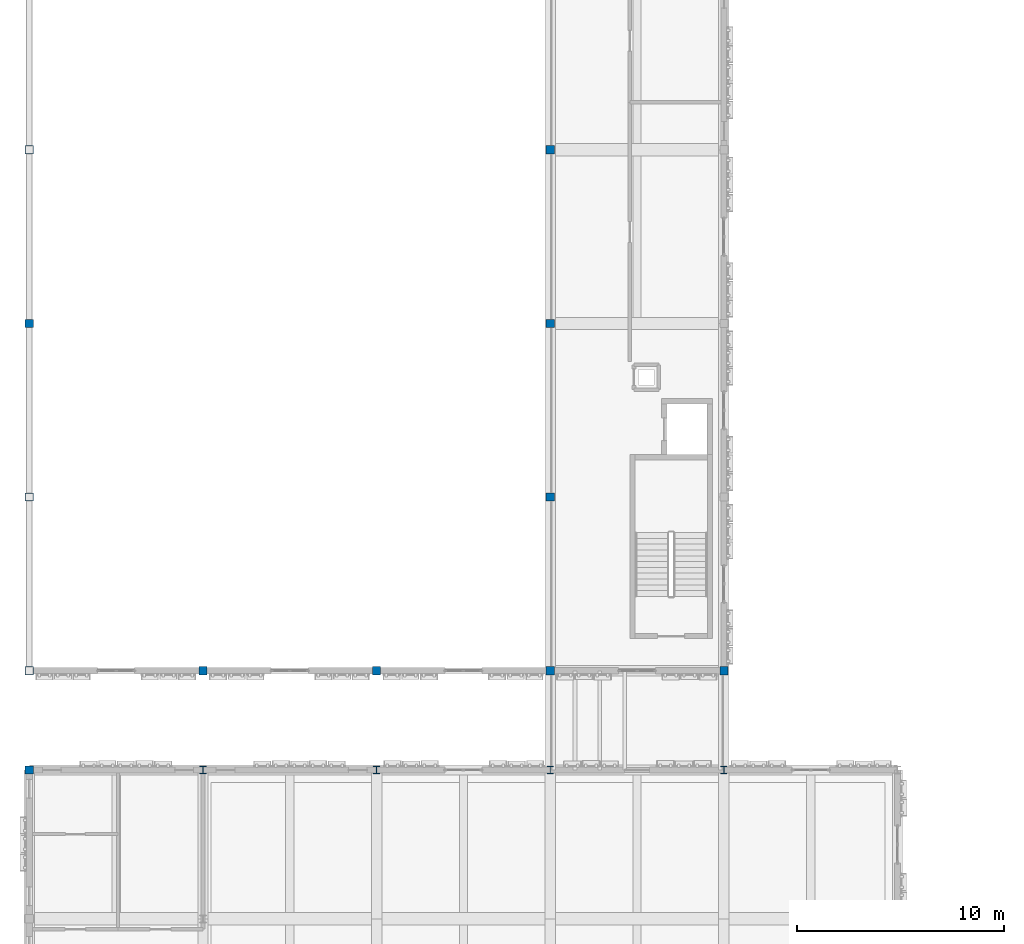
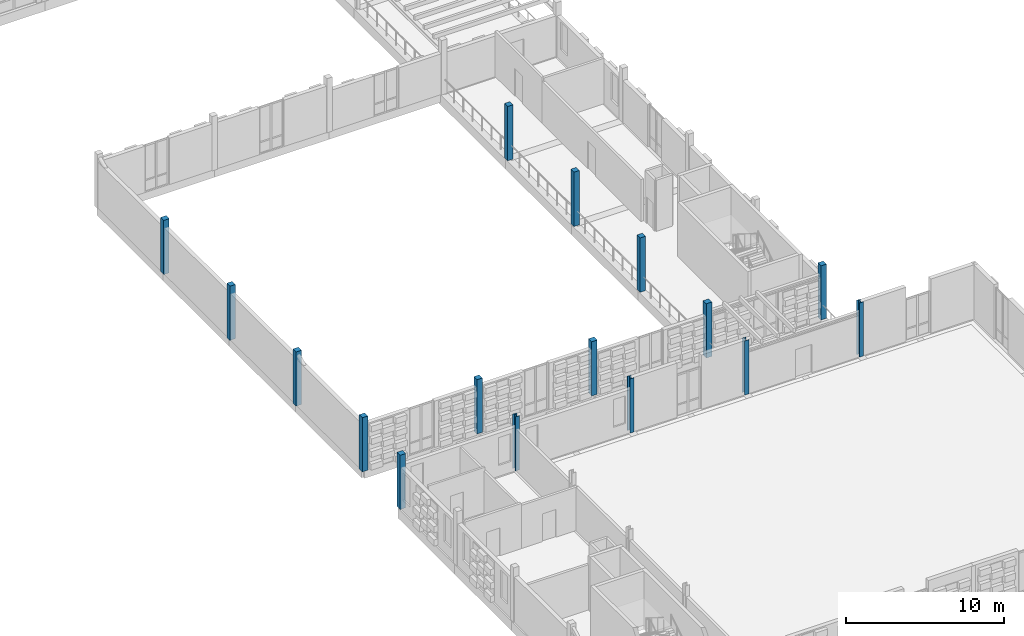
# One storey, part 3 of 99: 16 columns.
"""IFC4 building model written with IfcOpenShell, lengths in metres."""

from ifc_helpers import new_model, si_unit, direction, frame, origin, origin_2d, place, context, subcontext, project, spatial, rectangle, i_section, extrude, material, material_profile, profile_set, type_object, element, save


model = new_model("IFC4")

# Units and contexts
model_context = context("Model", 3, precision=1e-05, world=origin(), true_north=direction((0.0, 1.0)))
body_context = subcontext(model_context, "Body", "Model", "MODEL_VIEW")
ifc_project = project(units=[si_unit("LENGTHUNIT", "METRE"), si_unit("AREAUNIT", "SQUARE_METRE"), si_unit("VOLUMEUNIT", "CUBIC_METRE"), si_unit("PLANEANGLEUNIT", "RADIAN"), si_unit("MASSUNIT", "GRAM", prefix="KILO")], contexts=[model_context])

# Site, building, storey
site_placement = place(None, origin())
site = spatial("IfcSite", under=ifc_project, at=site_placement, CompositionType="ELEMENT")
building_placement = place(site_placement, origin())
building = spatial("IfcBuilding", under=site, at=building_placement, Name="Kahlenmark Community Centre", CompositionType="ELEMENT")
storey_placement = place(building_placement, frame((0.0, 0.0, 5.39990234375)))
storey = spatial("IfcBuildingStorey", under=building, at=storey_placement, Name="L01", CompositionType="ELEMENT", Elevation=5.39990234375)

# Columns
ifc_material_1 = material(Name="Glulam GL32h", Category="wood")
ifc_material_profile_1 = material_profile(ifc_material_1, rectangle(XDim=0.39990234375, YDim=0.39990234375, at=origin_2d()), Name="GL32h 400x400")
ifc_profile_set_1 = profile_set([ifc_material_profile_1], Name="Glulam GL32h")
column_type_1 = type_object("IfcColumnType", Name="CT-GL400", PredefinedType="COLUMN", material=ifc_profile_set_1)
for number, where, z_axis, x_axis, name in (
    (1, (4.0, 37.60009765625, 0.0), (0.0, 0.0, 1.0), (1.0, 0.0, 0.0), "L01 column (4.0, 37.6)"),
    (2, (4.0, 42.39990234375, 0.0), (0.0, 0.0, 1.0), (1.0, 0.0, 0.0), "L01 column (4.0, 42.4)"),
    (3, (4.0, 50.800048828125, 0.0), (0.0, 0.0, 1.0), (1.0, 0.0, 0.0), "L01 column (4.0, 50.8)"),
    (4, (4.0, 59.199951171875, 0.0), (0.0, 0.0, 1.0), (1.0, 0.0, 0.0), "L01 column (4.0, 59.2)"),
    (5, (4.0, 67.60009765625, 0.0), (0.0, 0.0, 1.0), (1.0, 0.0, 0.0), "L01 column (4.0, 67.6)"),
    (6, (12.39990234375, 42.39990234375, 0.0), (0.0, 0.0, 1.0), (1.0, 0.0, 0.0), "L01 column (12.4, 42.4)"),
    (7, (20.800048828125, 42.39990234375, 0.0), (0.0, 0.0, 1.0), (1.0, 0.0, 0.0), "L01 column (20.8, 42.4)"),
    (8, (29.199951171875, 42.39990234375, 0.0), (0.0, 0.0, 1.0), (1.0, 0.0, 0.0), "L01 column (29.2, 42.4)"),
    (9, (29.199951171875, 50.800048828125, 0.0), (0.0, 0.0, 1.0), (1.0, 0.0, 0.0), "L01 column (29.2, 50.8)"),
    (10, (29.199951171875, 59.199951171875, 0.0), (0.0, 0.0, 1.0), (1.0, 0.0, 0.0), "L01 column (29.2, 59.2)"),
    (11, (29.199951171875, 67.60009765625, 0.0), (0.0, 0.0, 1.0), (1.0, 0.0, 0.0), "L01 column (29.2, 67.6)"),
    (12, (37.60009765625, 42.39990234375, 0.0), (0.0, 0.0, 1.0), (1.0, 0.0, 0.0), "L01 column (37.6, 42.4)"),
):
    element("IfcColumn", number, at=place(storey_placement, frame(where, z_axis=z_axis, x_axis=x_axis)), inside=storey, type_object=column_type_1, Name=name, PredefinedType="COLUMN", context=body_context, shape_type="SweptSolid", body=[
        extrude(rectangle(XDim=0.39990234375, YDim=0.39990234375, at=origin_2d()), origin(), (0.0, 0.0, 1.0), 4.2001953125),
    ])
ifc_material_2 = material(Name="Steel S355", Category="steel")
ifc_material_profile_2 = material_profile(ifc_material_2, i_section(OverallWidth=0.300048828125, OverallDepth=0.360107421875, WebThickness=0.012451171875, FlangeThickness=0.0224609375, at=origin_2d()), Name="HEB 360")
ifc_profile_set_2 = profile_set([ifc_material_profile_2], Name="Steel S355")
column_type_2 = type_object("IfcColumnType", Name="CT-HEB360", PredefinedType="COLUMN", material=ifc_profile_set_2)
for number, where, z_axis, x_axis, name in (
    (13, (12.39990234375, 37.60009765625, 0.0), (0.0, 0.0, 1.0), (1.0, 0.0, 0.0), "L01 column (12.4, 37.6)"),
    (14, (20.800048828125, 37.60009765625, 0.0), (0.0, 0.0, 1.0), (1.0, 0.0, 0.0), "L01 column (20.8, 37.6)"),
    (15, (29.199951171875, 37.60009765625, 0.0), (0.0, 0.0, 1.0), (1.0, 0.0, 0.0), "L01 column (29.2, 37.6)"),
    (16, (37.60009765625, 37.60009765625, 0.0), (0.0, 0.0, 1.0), (1.0, 0.0, 0.0), "L01 column (37.6, 37.6)"),
):
    element("IfcColumn", number, at=place(storey_placement, frame(where, z_axis=z_axis, x_axis=x_axis)), inside=storey, type_object=column_type_2, Name=name, PredefinedType="COLUMN", context=body_context, shape_type="SweptSolid", body=[
        extrude(i_section(OverallWidth=0.300048828125, OverallDepth=0.360107421875, WebThickness=0.012451171875, FlangeThickness=0.0224609375, at=origin_2d()), origin(), (0.0, 0.0, 1.0), 4.2001953125),
    ])

save(model, "model.ifc")
